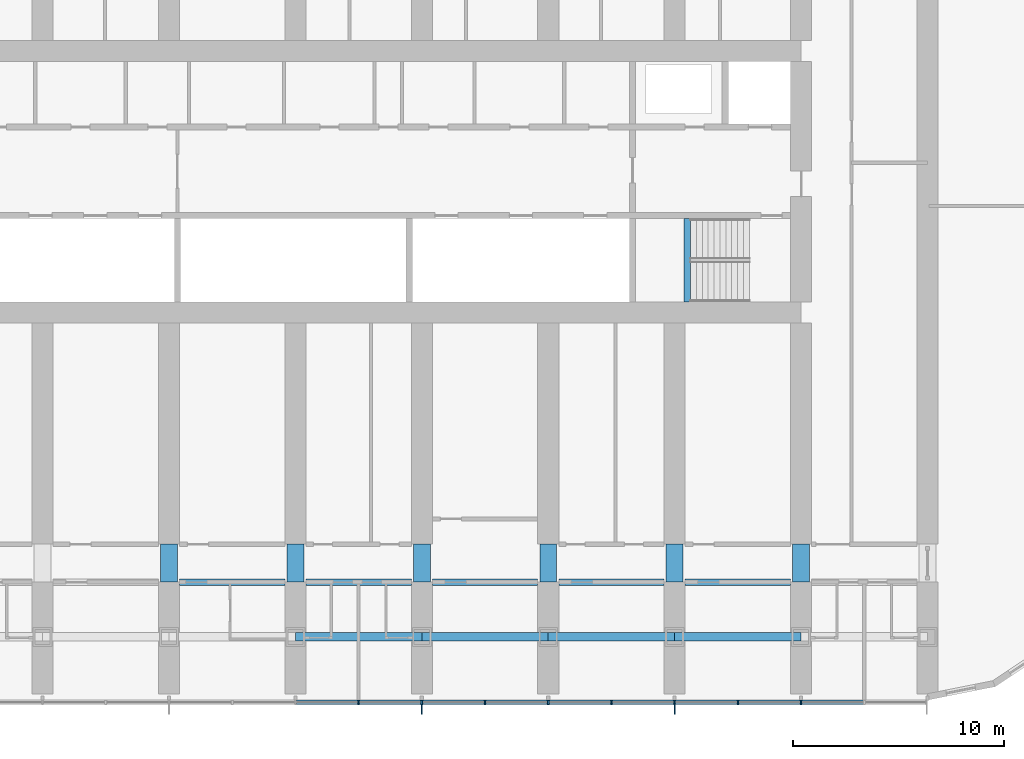
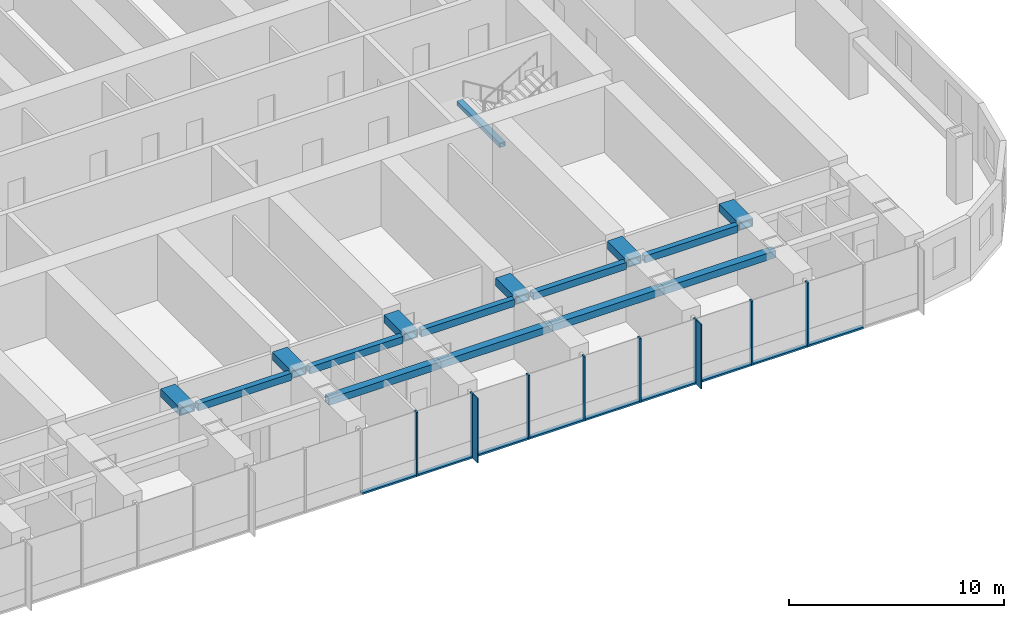
# One storey, part 3 of 23: 19 members, 16 beams, 1 element without a shape of its own.
"""IFC4 building model written with IfcOpenShell, lengths in metres."""

from ifc_helpers import new_model, si_unit, direction, frame, origin, origin_2d, place, context, subcontext, project, spatial, rectangle, hollow_rectangle, extrude, material, material_profile, profile_set, type_object, element, aggregate, save


model = new_model("IFC4")

# Units and contexts
model_context = context("Model", 3, precision=1e-05, world=origin(), true_north=direction((0.0, 1.0)))
body_context = subcontext(model_context, "Body", "Model", "MODEL_VIEW")
ifc_project = project(units=[si_unit("LENGTHUNIT", "METRE"), si_unit("AREAUNIT", "SQUARE_METRE"), si_unit("VOLUMEUNIT", "CUBIC_METRE"), si_unit("PLANEANGLEUNIT", "RADIAN"), si_unit("MASSUNIT", "GRAM", prefix="KILO")], contexts=[model_context])

# Site, building, storey
site_placement = place(None, origin())
site = spatial("IfcSite", under=ifc_project, at=site_placement, CompositionType="ELEMENT")
building_placement = place(site_placement, origin())
building = spatial("IfcBuilding", under=site, at=building_placement, Name="Orbita Commons", CompositionType="ELEMENT")
storey_placement = place(building_placement, frame((0.0, 0.0, 65.199951171875)))
storey = spatial("IfcBuildingStorey", under=building, at=storey_placement, Name="L16", CompositionType="ELEMENT", Elevation=65.199951171875)

# Curtain wall, members
ifc_material_1 = material(Name="Anodised aluminium frame, pale silver", Category="aluminium")
curtain_wall_type = type_object("IfcCurtainWallType", Name="Unitised curtain wall CW-T, vision and spandrel", PredefinedType="NOTDEFINED", material=ifc_material_1)
curtain_wall_placement = place(storey_placement, origin())
curtain_wall = element("IfcCurtainWall", 1, at=curtain_wall_placement, inside=storey, type_object=curtain_wall_type, Name="Curtain wall south L16", PredefinedType="NOTDEFINED")
ifc_material_2 = material(Name="Anodised aluminium, pale silver", Category="aluminium")
ifc_material_profile_1 = material_profile(ifc_material_2, rectangle(XDim=0.080078125, YDim=0.219970703125, at=origin_2d()), Name="AL 80x220")
ifc_profile_set_1 = profile_set([ifc_material_profile_1], Name="Anodised aluminium, pale silver")
member_type_1 = type_object("IfcMemberType", Name="Curtain wall mullion 80x220", PredefinedType="MULLION", material=ifc_profile_set_1)
member_1_placement = place(storey_placement, frame((45.0, 7.2900390625, -0.25), z_axis=(0.0, 0.0, 1.0), x_axis=(1.0, 0.0, 0.0)))
member_1 = element("IfcMember", 2, at=member_1_placement, type_object=member_type_1, Name="Mullion 12 CW-L16-S", PredefinedType="MULLION", context=body_context, shape_type="SweptSolid", body=[
    extrude(rectangle(XDim=0.080078125, YDim=0.219970703125, at=origin_2d()), origin(), (0.0, 0.0, 1.0), 3.650146484375),
])
member_2_placement = place(storey_placement, frame((48.0, 7.2900390625, -0.25), z_axis=(0.0, 0.0, 1.0), x_axis=(1.0, 0.0, 0.0)))
member_2 = element("IfcMember", 3, at=member_2_placement, type_object=member_type_1, Name="Mullion 13 CW-L16-S", PredefinedType="MULLION", context=body_context, shape_type="SweptSolid", body=[
    extrude(rectangle(XDim=0.080078125, YDim=0.219970703125, at=origin_2d()), origin(), (0.0, 0.0, 1.0), 3.650146484375),
])
member_3_placement = place(storey_placement, frame((51.0, 7.2900390625, -0.25), z_axis=(0.0, 0.0, 1.0), x_axis=(1.0, 0.0, 0.0)))
member_3 = element("IfcMember", 4, at=member_3_placement, type_object=member_type_1, Name="Mullion 14 CW-L16-S", PredefinedType="MULLION", context=body_context, shape_type="SweptSolid", body=[
    extrude(rectangle(XDim=0.080078125, YDim=0.219970703125, at=origin_2d()), origin(), (0.0, 0.0, 1.0), 3.650146484375),
])
member_4_placement = place(storey_placement, frame((54.0, 7.2900390625, -0.25), z_axis=(0.0, 0.0, 1.0), x_axis=(1.0, 0.0, 0.0)))
member_4 = element("IfcMember", 5, at=member_4_placement, type_object=member_type_1, Name="Mullion 15 CW-L16-S", PredefinedType="MULLION", context=body_context, shape_type="SweptSolid", body=[
    extrude(rectangle(XDim=0.080078125, YDim=0.219970703125, at=origin_2d()), origin(), (0.0, 0.0, 1.0), 3.650146484375),
])
member_5_placement = place(storey_placement, frame((57.0, 7.2900390625, -0.25), z_axis=(0.0, 0.0, 1.0), x_axis=(1.0, 0.0, 0.0)))
member_5 = element("IfcMember", 6, at=member_5_placement, type_object=member_type_1, Name="Mullion 16 CW-L16-S", PredefinedType="MULLION", context=body_context, shape_type="SweptSolid", body=[
    extrude(rectangle(XDim=0.080078125, YDim=0.219970703125, at=origin_2d()), origin(), (0.0, 0.0, 1.0), 3.650146484375),
])
member_6_placement = place(storey_placement, frame((60.0, 7.2900390625, -0.25), z_axis=(0.0, 0.0, 1.0), x_axis=(1.0, 0.0, 0.0)))
member_6 = element("IfcMember", 7, at=member_6_placement, type_object=member_type_1, Name="Mullion 17 CW-L16-S", PredefinedType="MULLION", context=body_context, shape_type="SweptSolid", body=[
    extrude(rectangle(XDim=0.080078125, YDim=0.219970703125, at=origin_2d()), origin(), (0.0, 0.0, 1.0), 3.650146484375),
])
member_7_placement = place(storey_placement, frame((63.0, 7.2900390625, -0.25), z_axis=(0.0, 0.0, 1.0), x_axis=(1.0, 0.0, 0.0)))
member_7 = element("IfcMember", 8, at=member_7_placement, type_object=member_type_1, Name="Mullion 18 CW-L16-S", PredefinedType="MULLION", context=body_context, shape_type="SweptSolid", body=[
    extrude(rectangle(XDim=0.080078125, YDim=0.219970703125, at=origin_2d()), origin(), (0.0, 0.0, 1.0), 3.650146484375),
])
member_8_placement = place(storey_placement, frame((66.0, 7.2900390625, -0.25), z_axis=(0.0, 0.0, 1.0), x_axis=(1.0, 0.0, 0.0)))
member_8 = element("IfcMember", 9, at=member_8_placement, type_object=member_type_1, Name="Mullion 19 CW-L16-S", PredefinedType="MULLION", context=body_context, shape_type="SweptSolid", body=[
    extrude(rectangle(XDim=0.080078125, YDim=0.219970703125, at=origin_2d()), origin(), (0.0, 0.0, 1.0), 3.650146484375),
])
ifc_material_3 = material(Name="Anodised aluminium, pale silver", Category="aluminium")
ifc_material_profile_2 = material_profile(ifc_material_3, rectangle(XDim=0.219970703125, YDim=0.10009765625, at=origin_2d()), Name="AL 220x100")
ifc_profile_set_2 = profile_set([ifc_material_profile_2], Name="Anodised aluminium, pale silver")
member_type_2 = type_object("IfcMemberType", Name="Curtain wall stack transom 220x100", PredefinedType="USERDEFINED", material=ifc_profile_set_2)
member_9_placement = place(storey_placement, frame((42.0400390625, 7.2900390625, -0.199951171875), z_axis=(1.0, 0.0, 0.0), x_axis=(0.0, 1.0, 0.0)))
member_9 = element("IfcMember", 10, at=member_9_placement, type_object=member_type_2, Name="Transom 11.1 CW-L16-S", ObjectType="TRANSOM", PredefinedType="USERDEFINED", context=body_context, shape_type="SweptSolid", body=[
    extrude(rectangle(XDim=0.219970703125, YDim=0.10009765625, at=origin_2d()), origin(), (0.0, 0.0, 1.0), 2.919921875),
])
member_10_placement = place(storey_placement, frame((45.0400390625, 7.2900390625, -0.199951171875), z_axis=(1.0, 0.0, 0.0), x_axis=(0.0, 1.0, 0.0)))
member_10 = element("IfcMember", 11, at=member_10_placement, type_object=member_type_2, Name="Transom 12.1 CW-L16-S", ObjectType="TRANSOM", PredefinedType="USERDEFINED", context=body_context, shape_type="SweptSolid", body=[
    extrude(rectangle(XDim=0.219970703125, YDim=0.10009765625, at=origin_2d()), origin(), (0.0, 0.0, 1.0), 2.919921875),
])
member_11_placement = place(storey_placement, frame((48.0400390625, 7.2900390625, -0.199951171875), z_axis=(1.0, 0.0, 0.0), x_axis=(0.0, 1.0, 0.0)))
member_11 = element("IfcMember", 12, at=member_11_placement, type_object=member_type_2, Name="Transom 13.1 CW-L16-S", ObjectType="TRANSOM", PredefinedType="USERDEFINED", context=body_context, shape_type="SweptSolid", body=[
    extrude(rectangle(XDim=0.219970703125, YDim=0.10009765625, at=origin_2d()), origin(), (0.0, 0.0, 1.0), 2.919921875),
])
member_12_placement = place(storey_placement, frame((51.0400390625, 7.2900390625, -0.199951171875), z_axis=(1.0, 0.0, 0.0), x_axis=(0.0, 1.0, 0.0)))
member_12 = element("IfcMember", 13, at=member_12_placement, type_object=member_type_2, Name="Transom 14.1 CW-L16-S", ObjectType="TRANSOM", PredefinedType="USERDEFINED", context=body_context, shape_type="SweptSolid", body=[
    extrude(rectangle(XDim=0.219970703125, YDim=0.10009765625, at=origin_2d()), origin(), (0.0, 0.0, 1.0), 2.919921875),
])
member_13_placement = place(storey_placement, frame((54.0400390625, 7.2900390625, -0.199951171875), z_axis=(1.0, 0.0, 0.0), x_axis=(0.0, 1.0, 0.0)))
member_13 = element("IfcMember", 14, at=member_13_placement, type_object=member_type_2, Name="Transom 15.1 CW-L16-S", ObjectType="TRANSOM", PredefinedType="USERDEFINED", context=body_context, shape_type="SweptSolid", body=[
    extrude(rectangle(XDim=0.219970703125, YDim=0.10009765625, at=origin_2d()), origin(), (0.0, 0.0, 1.0), 2.919921875),
])
member_14_placement = place(storey_placement, frame((57.0400390625, 7.2900390625, -0.199951171875), z_axis=(1.0, 0.0, 0.0), x_axis=(0.0, 1.0, 0.0)))
member_14 = element("IfcMember", 15, at=member_14_placement, type_object=member_type_2, Name="Transom 16.1 CW-L16-S", ObjectType="TRANSOM", PredefinedType="USERDEFINED", context=body_context, shape_type="SweptSolid", body=[
    extrude(rectangle(XDim=0.219970703125, YDim=0.10009765625, at=origin_2d()), origin(), (0.0, 0.0, 1.0), 2.919921875),
])
member_15_placement = place(storey_placement, frame((60.0400390625, 7.2900390625, -0.199951171875), z_axis=(1.0, 0.0, 0.0), x_axis=(0.0, 1.0, 0.0)))
member_15 = element("IfcMember", 16, at=member_15_placement, type_object=member_type_2, Name="Transom 17.1 CW-L16-S", ObjectType="TRANSOM", PredefinedType="USERDEFINED", context=body_context, shape_type="SweptSolid", body=[
    extrude(rectangle(XDim=0.219970703125, YDim=0.10009765625, at=origin_2d()), origin(), (0.0, 0.0, 1.0), 2.919921875),
])
member_16_placement = place(storey_placement, frame((63.0400390625, 7.2900390625, -0.199951171875), z_axis=(1.0, 0.0, 0.0), x_axis=(0.0, 1.0, 0.0)))
member_16 = element("IfcMember", 17, at=member_16_placement, type_object=member_type_2, Name="Transom 18.1 CW-L16-S", ObjectType="TRANSOM", PredefinedType="USERDEFINED", context=body_context, shape_type="SweptSolid", body=[
    extrude(rectangle(XDim=0.219970703125, YDim=0.10009765625, at=origin_2d()), origin(), (0.0, 0.0, 1.0), 2.919921875),
])
member_17_placement = place(storey_placement, frame((66.0400390625, 7.2900390625, -0.199951171875), z_axis=(1.0, 0.0, 0.0), x_axis=(0.0, 1.0, 0.0)))
member_17 = element("IfcMember", 18, at=member_17_placement, type_object=member_type_2, Name="Transom 19.1 CW-L16-S", ObjectType="TRANSOM", PredefinedType="USERDEFINED", context=body_context, shape_type="SweptSolid", body=[
    extrude(rectangle(XDim=0.219970703125, YDim=0.10009765625, at=origin_2d()), origin(), (0.0, 0.0, 1.0), 2.919921875),
])

# Beams
ifc_material_4 = material(Name="Steel ASTM A572 Gr 50 welded plate", Category="steel")
ifc_material_profile_3 = material_profile(ifc_material_4, hollow_rectangle(XDim=0.300048828125, YDim=0.25, WallThickness=0.02490234375, at=origin_2d()), Name="BOX 250x300x25")
ifc_profile_set_3 = profile_set([ifc_material_profile_3], Name="Steel ASTM A572 Gr 50 welded plate")
beam_type_1 = type_object("IfcBeamType", Name="Stair landing beam steel BOX 250x300x25", PredefinedType="BEAM", material=ifc_profile_set_3)
beam_placement = place(storey_placement, frame((60.60009765625, 26.284912109375, 1.550048828125), z_axis=(0.0, 1.0, 0.0), x_axis=(-1.0, 0.0, 0.0)))
element("IfcBeam", 19, at=beam_placement, inside=storey, type_object=beam_type_1, Name="Stair S2 landing beam L16 1", PredefinedType="BEAM", context=body_context, shape_type="SweptSolid", body=[
    extrude(hollow_rectangle(XDim=0.300048828125, YDim=0.25, WallThickness=0.02490234375, at=origin_2d()), origin(), (0.0, 0.0, 1.0), 3.97998046875),
])
ifc_material_5 = material(Name="Steel ASTM A572 Gr 50 welded plate", Category="steel")
ifc_material_profile_4 = material_profile(ifc_material_5, hollow_rectangle(XDim=0.300048828125, YDim=0.39990234375, WallThickness=0.0400390625, at=origin_2d()), Name="BOX 400x300x40")
ifc_profile_set_4 = profile_set([ifc_material_profile_4], Name="Steel ASTM A572 Gr 50 welded plate")
beam_type_2 = type_object("IfcBeamType", Name="Steel corridor link BOX 400x300x40", PredefinedType="BEAM", material=ifc_profile_set_4)
for number, where, z_axis, x_axis, name in (
    (20, (36.5, 13.0, 3.199951171875), (1.0, 0.0, 0.0), (0.0, 1.0, 0.0), "Corridor beam SA 7-8 L16"),
    (21, (42.5, 13.0, 3.199951171875), (1.0, 0.0, 0.0), (0.0, 1.0, 0.0), "Corridor beam SA 8-9 L16"),
    (22, (48.5, 13.0, 3.199951171875), (1.0, 0.0, 0.0), (0.0, 1.0, 0.0), "Corridor beam SA 9-10 L16"),
    (23, (54.5, 13.0, 3.199951171875), (1.0, 0.0, 0.0), (0.0, 1.0, 0.0), "Corridor beam SA 10-11 L16"),
    (24, (60.5, 13.0, 3.199951171875), (1.0, 0.0, 0.0), (0.0, 1.0, 0.0), "Corridor beam SA 11-12 L16"),
):
    element("IfcBeam", number, at=place(storey_placement, frame(where, z_axis=z_axis, x_axis=x_axis)), inside=storey, type_object=beam_type_2, Name=name, PredefinedType="BEAM", context=body_context, shape_type="SweptSolid", body=[
        extrude(hollow_rectangle(XDim=0.300048828125, YDim=0.39990234375, WallThickness=0.0400390625, at=origin_2d()), origin(), (0.0, 0.0, 1.0), 5.0),
    ])
ifc_material_6 = material(Name="Steel ASTM A572 Gr 50 welded plate", Category="steel")
ifc_material_profile_5 = material_profile(ifc_material_6, hollow_rectangle(XDim=0.800048828125, YDim=0.449951171875, WallThickness=0.06005859375, at=origin_2d()), Name="BOX 450x800x60")
ifc_profile_set_5 = profile_set([ifc_material_profile_5], Name="Steel ASTM A572 Gr 50 welded plate")
beam_type_3 = type_object("IfcBeamType", Name="Steel coupling link BOX 450x800x60", PredefinedType="LINTEL", material=ifc_profile_set_5)
for number, where, z_axis, x_axis, name in (
    (25, (36.0, 13.0, 3.175048828125), (0.0, 1.0, 0.0), (-1.0, 0.0, 0.0), "Coupling beam 7 south L16"),
    (26, (42.0, 13.0, 3.175048828125), (0.0, 1.0, 0.0), (-1.0, 0.0, 0.0), "Coupling beam 8 south L16"),
    (27, (48.0, 13.0, 3.175048828125), (0.0, 1.0, 0.0), (-1.0, 0.0, 0.0), "Coupling beam 9 south L16"),
    (28, (54.0, 13.0, 3.175048828125), (0.0, 1.0, 0.0), (-1.0, 0.0, 0.0), "Coupling beam 10 south L16"),
    (29, (60.0, 13.0, 3.175048828125), (0.0, 1.0, 0.0), (-1.0, 0.0, 0.0), "Coupling beam 11 south L16"),
    (30, (66.0, 13.0, 3.175048828125), (0.0, 1.0, 0.0), (-1.0, 0.0, 0.0), "Coupling beam 12 south L16"),
):
    element("IfcBeam", number, at=place(storey_placement, frame(where, z_axis=z_axis, x_axis=x_axis)), inside=storey, type_object=beam_type_3, Name=name, PredefinedType="LINTEL", context=body_context, shape_type="SweptSolid", body=[
        extrude(hollow_rectangle(XDim=0.800048828125, YDim=0.449951171875, WallThickness=0.06005859375, at=origin_2d()), origin(), (0.0, 0.0, 1.0), 1.800048828125),
    ])
ifc_material_7 = material(Name="Steel ASTM A572 Gr 50 welded plate", Category="steel")
ifc_material_profile_6 = material_profile(ifc_material_7, hollow_rectangle(XDim=0.39990234375, YDim=0.39990234375, WallThickness=0.0400390625, at=origin_2d()), Name="BOX 400x400x40")
ifc_profile_set_6 = profile_set([ifc_material_profile_6], Name="Steel ASTM A572 Gr 50 welded plate")
beam_type_4 = type_object("IfcBeamType", Name="Steel spandrel BOX 400x400x40", PredefinedType="SPANDREL", material=ifc_profile_set_6)
for number, where, z_axis, x_axis, name in (
    (31, (42.0, 10.39990234375, 3.199951171875), (1.0, 0.0, 0.0), (0.0, 1.0, 0.0), "Spandrel beam B 8-9 L16"),
    (32, (48.0, 10.39990234375, 3.199951171875), (1.0, 0.0, 0.0), (0.0, 1.0, 0.0), "Spandrel beam B 9-10 L16"),
    (33, (54.0, 10.39990234375, 3.199951171875), (1.0, 0.0, 0.0), (0.0, 1.0, 0.0), "Spandrel beam B 10-11 L16"),
    (34, (60.0, 10.39990234375, 3.199951171875), (1.0, 0.0, 0.0), (0.0, 1.0, 0.0), "Spandrel beam B 11-12 L16"),
):
    element("IfcBeam", number, at=place(storey_placement, frame(where, z_axis=z_axis, x_axis=x_axis)), inside=storey, type_object=beam_type_4, Name=name, PredefinedType="SPANDREL", context=body_context, shape_type="SweptSolid", body=[
        extrude(hollow_rectangle(XDim=0.39990234375, YDim=0.39990234375, WallThickness=0.0400390625, at=origin_2d()), origin(), (0.0, 0.0, 1.0), 6.0),
    ])

# Member
ifc_material_8 = material(Name="Anodised aluminium, pale silver", Category="aluminium")
ifc_material_profile_7 = material_profile(ifc_material_8, rectangle(XDim=0.06005859375, YDim=0.449951171875, at=origin_2d()), Name="FIN 60x450")
ifc_profile_set_7 = profile_set([ifc_material_profile_7], Name="Anodised aluminium, pale silver")
member_type_3 = type_object("IfcMemberType", Name="Vertical fin 60x450 pale aluminium", PredefinedType="USERDEFINED", material=ifc_profile_set_7)
member_18_placement = place(storey_placement, frame((48.0, 6.955078125, -0.25), z_axis=(0.0, 0.0, 1.0), x_axis=(1.0, 0.0, 0.0)))
member_18 = element("IfcMember", 35, at=member_18_placement, type_object=member_type_3, Name="Fin 13 CW-L16-S", ObjectType="FIN", PredefinedType="USERDEFINED", context=body_context, shape_type="SweptSolid", body=[
    extrude(rectangle(XDim=0.06005859375, YDim=0.449951171875, at=origin_2d()), origin(), (0.0, 0.0, 1.0), 3.650146484375),
])

member_19_placement = place(storey_placement, frame((60.0, 6.955078125, -0.25), z_axis=(0.0, 0.0, 1.0), x_axis=(1.0, 0.0, 0.0)))
member_19 = element("IfcMember", 36, at=member_19_placement, type_object=member_type_3, Name="Fin 17 CW-L16-S", ObjectType="FIN", PredefinedType="USERDEFINED", context=body_context, shape_type="SweptSolid", body=[
    extrude(rectangle(XDim=0.06005859375, YDim=0.449951171875, at=origin_2d()), origin(), (0.0, 0.0, 1.0), 3.650146484375),
])

aggregate(curtain_wall, [member_1, member_2, member_18, member_3, member_4, member_5, member_6, member_19, member_7, member_8, member_9, member_10, member_11, member_12, member_13, member_14, member_15, member_16, member_17])

save(model, "model.ifc")
